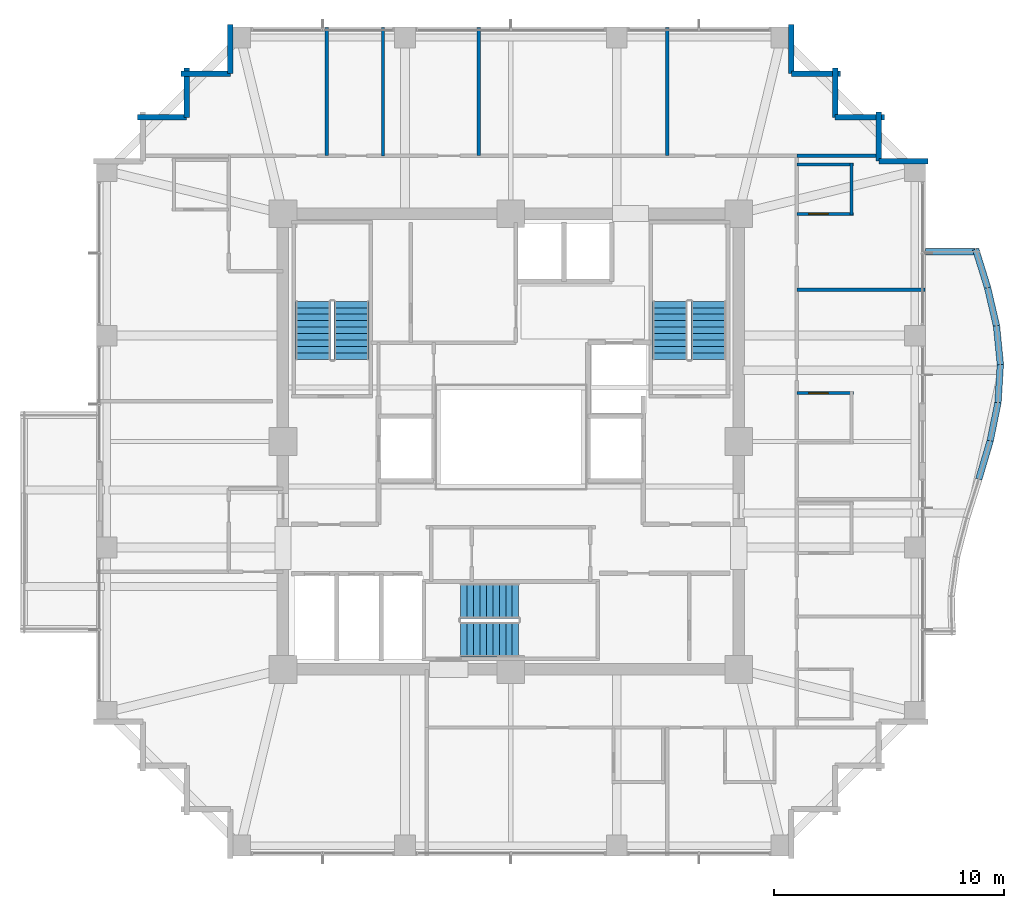
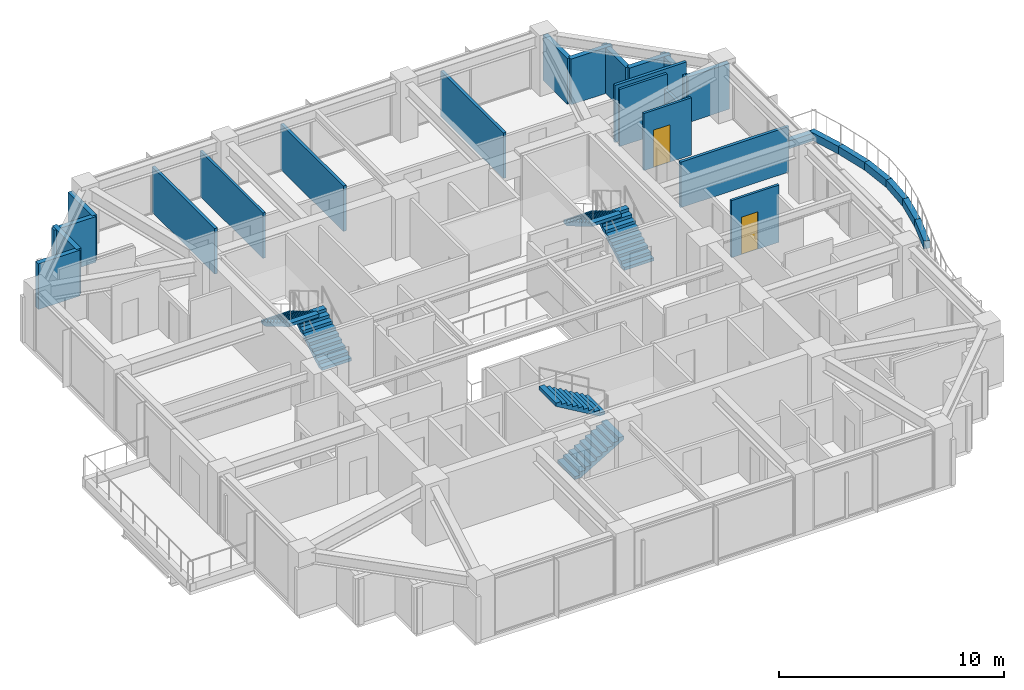
# One storey, part 30 of 32: 27 walls, 6 stair flights, 2 doors, 2 openings, 3 elements without a shape of their own.
"""IFC4 building model written with IfcOpenShell, lengths in metres."""

import ifcopenshell
import ifcopenshell.guid

model = None  # the IFC model being written
_history = None  # IfcOwnerHistory: only IFC2X3 demands one
_inside = {}  # id of a spatial element -> (the spatial element, [elements in it])
_under = {}  # id of a project, library or spatial element -> (it, [spatial elements below it])
_declared = {}  # id of a project -> (the project, [libraries it declares])
_typed = {}  # id of a type object -> (the type object, [elements of that type])
_made_of = {}  # id of a material, layer set ... -> (it, [elements and type objects made of it])


def new_model(schema):
    """Start an empty IFC model of exactly this schema.

    Asked for "IFC4X3", IfcOpenShell would pick the latest addendum, in which some entities
    have other attributes; the version numbers below select the first issue.
    IFC2X3 requires an IfcOwnerHistory on every rooted entity: one is made here for all.
    """
    global model, _history
    if schema == "IFC4X3":
        model = ifcopenshell.file(schema_version=(4, 3, 0, 0))
    else:
        model = ifcopenshell.file(schema=schema)
    _inside.clear()
    _under.clear()
    _declared.clear()
    _typed.clear()
    _made_of.clear()
    _history = None
    if model.schema == "IFC2X3":
        org = make("IfcOrganization", Name="unknown")
        user = make(
            "IfcPersonAndOrganization",
            ThePerson=make("IfcPerson", FamilyName="unknown"),
            TheOrganization=org,
        )
        app = make(
            "IfcApplication",
            ApplicationDeveloper=org,
            Version="unknown",
            ApplicationFullName="unknown",
            ApplicationIdentifier="unknown",
        )
        _history = make(
            "IfcOwnerHistory",
            OwningUser=user,
            OwningApplication=app,
            ChangeAction="ADDED",
            CreationDate=0,
        )
    return model


def make(cls, **values):
    """One entity of the class cls with the attributes given. An attribute that is None is left unset."""
    return model.create_entity(
        cls, **{name: value for name, value in values.items() if value is not None}
    )


def rooted(cls, **values):
    """An entity with a GlobalId (a new one), such as an element, a storey or a relation."""
    return make(cls, GlobalId=ifcopenshell.guid.new(), OwnerHistory=_history, **values)


def si_unit(unit_type, name, prefix=None):
    """IfcSIUnit, for example si_unit("LENGTHUNIT", "METRE", prefix="MILLI")."""
    return make("IfcSIUnit", UnitType=unit_type, Prefix=prefix, Name=name)


def assignment(units):
    """IfcUnitAssignment: the units of a project."""
    return None if units is None else make("IfcUnitAssignment", Units=units)


def point(xyz):
    """IfcCartesianPoint."""
    return None if xyz is None else make("IfcCartesianPoint", Coordinates=xyz)


def direction(xyz):
    """IfcDirection."""
    return None if xyz is None else make("IfcDirection", DirectionRatios=xyz)


def frame(location, z_axis=None, x_axis=None):
    """IfcAxis2Placement3D, a coordinate frame: its origin and axes. An axis left out is left unset."""
    return make(
        "IfcAxis2Placement3D",
        Location=point(location),
        Axis=direction(z_axis),
        RefDirection=direction(x_axis),
    )


def frame_2d(location, x_axis=None):
    """IfcAxis2Placement2D, a coordinate frame in the plane: its origin and x axis."""
    return make(
        "IfcAxis2Placement2D", Location=point(location), RefDirection=direction(x_axis)
    )


def origin():
    """The frame at (0, 0, 0) with its axes left unset."""
    return frame((0.0, 0.0, 0.0))


def place(relative_to, where):
    """IfcLocalPlacement: puts the frame where relative to a parent placement (None: the world)."""
    return make(
        "IfcLocalPlacement", PlacementRelTo=relative_to, RelativePlacement=where
    )


def context(
    kind, dimensions, precision=None, world=None, true_north=None, identifier=None
):
    """IfcGeometricRepresentationContext, for example the 3D "Model" context."""
    return make(
        "IfcGeometricRepresentationContext",
        ContextIdentifier=identifier,
        ContextType=kind,
        CoordinateSpaceDimension=dimensions,
        Precision=precision,
        WorldCoordinateSystem=world,
        TrueNorth=true_north,
    )


def subcontext(parent, identifier, kind, view, scale=None):
    """IfcGeometricRepresentationSubContext, for example "Body" below "Model"."""
    return make(
        "IfcGeometricRepresentationSubContext",
        ContextIdentifier=identifier,
        ContextType=kind,
        ParentContext=parent,
        TargetScale=scale,
        TargetView=view,
    )


def project(units=None, contexts=None):
    """IfcProject with its units and contexts."""
    return rooted(
        "IfcProject",
        Name="project",
        RepresentationContexts=contexts,
        UnitsInContext=assignment(units),
    )


def spatial(cls, under=None, at=None, **own):
    """A site, building, storey or space (cls), placed at a placement, below another one or the project."""
    s = rooted(cls, ObjectPlacement=at, **own)
    if under is not None:
        _under.setdefault(under.id(), (under, []))[1].append(s)
    return s


def polyline(points):
    """IfcPolyline through the points."""
    return make("IfcPolyline", Points=[point(p) for p in points])


def profile(cls, at=None, kind="AREA", **sizes):
    """A parametric profile (cls). Its sizes go by their IFC names, for example OverallWidth=200.0."""
    return make(cls, ProfileType=kind, Position=at, **sizes)


def rectangle(**sizes):
    """IfcRectangleProfileDef."""
    return profile("IfcRectangleProfileDef", **sizes)


def outline(outer, holes=None, kind="AREA"):
    """IfcArbitraryClosedProfileDef: a profile drawn as a closed curve; with holes, ...WithVoids."""
    if holes is None:
        return make("IfcArbitraryClosedProfileDef", ProfileType=kind, OuterCurve=outer)
    return make(
        "IfcArbitraryProfileDefWithVoids",
        ProfileType=kind,
        OuterCurve=outer,
        InnerCurves=holes,
    )


def extrude(swept, where, along, depth):
    """IfcExtrudedAreaSolid: the profile swept, set in the frame where, extruded along a direction by depth."""
    return make(
        "IfcExtrudedAreaSolid",
        SweptArea=swept,
        Position=where,
        ExtrudedDirection=direction(along),
        Depth=depth,
    )


def shape(context_of_items, identifier, shape_type, items):
    """IfcShapeRepresentation: the items that make up one representation, for example the "Body"."""
    return make(
        "IfcShapeRepresentation",
        ContextOfItems=context_of_items,
        RepresentationIdentifier=identifier,
        RepresentationType=shape_type,
        Items=items,
    )


def material(Name=None, Category=None):
    """IfcMaterial."""
    return make("IfcMaterial", Name=Name, Category=Category)


def layer(
    of_material, thickness, ventilated=None, Name=None, Category=None, Priority=None
):
    """IfcMaterialLayer: one layer of a wall or slab, of a material (None: an air gap)."""
    return make(
        "IfcMaterialLayer",
        Material=of_material,
        LayerThickness=thickness,
        IsVentilated=ventilated,
        Name=Name,
        Category=Category,
        Priority=Priority,
    )


def layer_set(layers, Name=None):
    """IfcMaterialLayerSet."""
    return make("IfcMaterialLayerSet", MaterialLayers=layers, LayerSetName=Name)


def made_of(thing, what):
    """Note that an element or type object is made of a material, layer set ...; save() writes the relation."""
    if what is not None:
        _made_of.setdefault(what.id(), (what, []))[1].append(thing)
    return thing


def type_object(cls, material=None, **own):
    """A type object (cls), such as IfcWallType, which elements share."""
    return made_of(rooted(cls, **own), material)


def element(
    cls,
    number,
    at=None,
    inside=None,
    cuts=None,
    type_object=None,
    material=None,
    context=None,
    identifier="Body",
    shape_type=None,
    held_by="IfcProductDefinitionShape",
    body=None,
    shapes=None,
    **own,
):
    """One element of the class cls, such as IfcWall. Its Tag is "e" and its number.

    at: its placement. inside: the storey or other place that contains it. cuts: it is an
    opening in that element (IfcRelVoidsElement). A single representation is given by context,
    identifier, shape_type and body (its items); several are given by shapes. held_by: the class
    of the entity that holds the representations. save() writes the other relations.
    """
    e = rooted(cls, Tag="e%d" % number, ObjectPlacement=at, **own)
    if body is not None:
        shapes = [shape(context, identifier, shape_type, body)]
    if shapes is not None:
        e.Representation = make(held_by, Representations=shapes)
    if inside is not None:
        _inside.setdefault(inside.id(), (inside, []))[1].append(e)
    if cuts is not None:
        rooted(
            "IfcRelVoidsElement", RelatingBuildingElement=cuts, RelatedOpeningElement=e
        )
    if type_object is not None:
        _typed.setdefault(type_object.id(), (type_object, []))[1].append(e)
    return made_of(e, material)


def fill(opening, filler):
    """IfcRelFillsElement: the door or window that sits in an opening."""
    return rooted(
        "IfcRelFillsElement",
        RelatingOpeningElement=opening,
        RelatedBuildingElement=filler,
    )


def aggregate(whole, parts):
    """IfcRelAggregates: a whole, such as a stair, and the parts it consists of."""
    return rooted("IfcRelAggregates", RelatingObject=whole, RelatedObjects=parts)


def save(model, path):
    """Write the relations noted so far, then the file.

    IfcRelAggregates (storeys below a building ...), IfcRelContainedInSpatialStructure (elements
    in a storey), IfcRelDefinesByType, IfcRelAssociatesMaterial and IfcRelDeclares: one each for
    every whole, place, type object, material and project.
    """
    for whole, parts in _under.values():
        aggregate(whole, parts)
    for where, things in _inside.values():
        rooted(
            "IfcRelContainedInSpatialStructure",
            RelatedElements=things,
            RelatingStructure=where,
        )
    for kind, things in _typed.values():
        rooted("IfcRelDefinesByType", RelatedObjects=things, RelatingType=kind)
    for what, things in _made_of.values():
        rooted("IfcRelAssociatesMaterial", RelatedObjects=things, RelatingMaterial=what)
    for by, libraries in _declared.values():
        rooted("IfcRelDeclares", RelatingContext=by, RelatedDefinitions=libraries)
    model.write(path)


model = new_model("IFC4")

# Units and contexts
model_context = context("Model", 3, precision=1e-05, world=origin(), true_north=direction((0.0, 1.0)))
body_context = subcontext(model_context, "Body", "Model", "MODEL_VIEW")
ifc_project = project(units=[si_unit("LENGTHUNIT", "METRE"), si_unit("AREAUNIT", "SQUARE_METRE"), si_unit("VOLUMEUNIT", "CUBIC_METRE"), si_unit("PLANEANGLEUNIT", "RADIAN"), si_unit("MASSUNIT", "GRAM", prefix="KILO")], contexts=[model_context])

# Site, building, storey
site_placement = place(None, origin())
site = spatial("IfcSite", under=ifc_project, at=site_placement, CompositionType="ELEMENT")
building_placement = place(site_placement, origin())
building = spatial("IfcBuilding", under=site, at=building_placement, Name="Kolvaren Belvedere", CompositionType="ELEMENT")
storey_placement = place(building_placement, frame((0.0, 0.0, 141.5)))
storey = spatial("IfcBuildingStorey", under=building, at=storey_placement, Name="L41", CompositionType="ELEMENT", Elevation=141.5)

# Walls
ifc_material_1 = material(Name="Insulated pale-metal facade wall assembly", Category="aluminium")
ifc_layer_1 = layer(ifc_material_1, 0.239990234375)
ifc_layer_set_1 = layer_set([ifc_layer_1], Name="Insulated pale-metal facade wall assembly")
wall_type_1 = type_object("IfcWallType", Name="WL-EXT-240", PredefinedType="STANDARD", material=ifc_layer_set_1)
for number, where, z_axis, x_axis, name in (
    (1, (15.97998046875, 12.179931640625, 0.0), (0.0, 0.0, 1.0), (1.0, 0.0, 0.0), "L41 Serrated Corner Facade Wall 9"),
    (2, (15.97998046875, 14.320068359375, 0.0), (0.0, 0.0, 1.0), (0.0, -1.0, 0.0), "L41 Serrated Corner Facade Wall 10"),
):
    element("IfcWall", number, at=place(storey_placement, frame(where, z_axis=z_axis, x_axis=x_axis)), inside=storey, type_object=wall_type_1, Name=name, PredefinedType="STANDARD", context=body_context, shape_type="SweptSolid", body=[
        extrude(rectangle(XDim=2.14013671875, YDim=0.239990234375, at=frame_2d((1.070068359375, 0.0))), origin(), (0.0, 0.0, 1.0), 2.47900390625),
    ])
for number, where, z_axis, x_axis, name in (
    (3, (14.080078125, 14.080078125, 0.0), (0.0, 0.0, 1.0), (1.0, 0.0, 0.0), "L41 Serrated Corner Facade Wall 11"),
    (4, (14.080078125, 16.219970703125, 0.0), (0.0, 0.0, 1.0), (0.0, -1.0, 0.0), "L41 Serrated Corner Facade Wall 12"),
):
    element("IfcWall", number, at=place(storey_placement, frame(where, z_axis=z_axis, x_axis=x_axis)), inside=storey, type_object=wall_type_1, Name=name, PredefinedType="STANDARD", context=body_context, shape_type="SweptSolid", body=[
        extrude(rectangle(XDim=2.139892578125, YDim=0.239990234375, at=frame_2d((1.06982421875, 0.0))), origin(), (0.0, 0.0, 1.0), 2.47900390625),
    ])
for number, where, z_axis, x_axis, name in (
    (5, (12.179931640625, 15.97998046875, 0.0), (0.0, 0.0, 1.0), (1.0, 0.0, 0.0), "L41 Serrated Corner Facade Wall 13"),
    (6, (12.179931640625, 18.1201171875, 0.0), (0.0, 0.0, 1.0), (0.0, -1.0, 0.0), "L41 Serrated Corner Facade Wall 14"),
    (7, (-12.179931640625, 15.97998046875, 0.0), (0.0, 0.0, 1.0), (0.0, 1.0, 0.0), "L41 Serrated Corner Facade Wall 16"),
    (8, (-14.320068359375, 15.97998046875, 0.0), (0.0, 0.0, 1.0), (1.0, 0.0, 0.0), "L41 Serrated Corner Facade Wall 17"),
):
    element("IfcWall", number, at=place(storey_placement, frame(where, z_axis=z_axis, x_axis=x_axis)), inside=storey, type_object=wall_type_1, Name=name, PredefinedType="STANDARD", context=body_context, shape_type="SweptSolid", body=[
        extrude(rectangle(XDim=2.14013671875, YDim=0.239990234375, at=frame_2d((1.070068359375, 0.0))), origin(), (0.0, 0.0, 1.0), 2.47900390625),
    ])
for number, where, z_axis, x_axis, name in (
    (9, (-14.080078125, 14.080078125, 0.0), (0.0, 0.0, 1.0), (0.0, 1.0, 0.0), "L41 Serrated Corner Facade Wall 18"),
    (10, (-16.219970703125, 14.080078125, 0.0), (0.0, 0.0, 1.0), (1.0, 0.0, 0.0), "L41 Serrated Corner Facade Wall 19"),
):
    element("IfcWall", number, at=place(storey_placement, frame(where, z_axis=z_axis, x_axis=x_axis)), inside=storey, type_object=wall_type_1, Name=name, PredefinedType="STANDARD", context=body_context, shape_type="SweptSolid", body=[
        extrude(rectangle(XDim=2.139892578125, YDim=0.239990234375, at=frame_2d((1.06982421875, 0.0))), origin(), (0.0, 0.0, 1.0), 2.47900390625),
    ])
ifc_material_2 = material(Name="Gypsum acoustic partition assembly", Category="gypsum")
ifc_layer_2 = layer(ifc_material_2, 0.14990234375)
ifc_layer_set_2 = layer_set([ifc_layer_2], Name="Gypsum acoustic partition assembly")
wall_type_2 = type_object("IfcWallType", Name="WL-PART-150", PredefinedType="PARTITIONING", material=ifc_layer_set_2)
wall_1_placement = place(storey_placement, frame((12.419921875, 12.419921875, 0.0), z_axis=(0.0, 0.0, 1.0), x_axis=(1.0, 0.0, 0.0)))
element("IfcWall", 11, at=wall_1_placement, inside=storey, type_object=wall_type_2, Name="L41 Wing Divider PW-L41-QNE", PredefinedType="PARTITIONING", context=body_context, shape_type="SweptSolid", body=[
    extrude(rectangle(XDim=3.66015625, YDim=0.14990234375, at=frame_2d((1.830078125, 0.0))), origin(), (0.0, 0.0, 1.0), 3.10009765625),
])
for number, where, z_axis, x_axis, name in (
    (12, (-8.0, 12.419921875, 0.0), (0.0, 0.0, 1.0), (0.0, 1.0, 0.0), "L41 North Suite Demising Wall 1"),
    (13, (-1.39990234375, 12.419921875, 0.0), (0.0, 0.0, 1.0), (0.0, 1.0, 0.0), "L41 North Suite Demising Wall 2"),
    (14, (6.800048828125, 12.419921875, 0.0), (0.0, 0.0, 1.0), (0.0, 1.0, 0.0), "L41 North Suite Demising Wall 3"),
    (15, (12.419921875, 6.60009765625, 0.0), (0.0, 0.0, 1.0), (1.0, 0.0, 0.0), "L41 East Suite Demising Wall 3"),
):
    element("IfcWall", number, at=place(storey_placement, frame(where, z_axis=z_axis, x_axis=x_axis)), inside=storey, type_object=wall_type_2, Name=name, PredefinedType="PARTITIONING", context=body_context, shape_type="SweptSolid", body=[
        extrude(rectangle(XDim=5.56005859375, YDim=0.14990234375, at=frame_2d((2.780029296875, 0.0))), origin(), (0.0, 0.0, 1.0), 2.468994140625),
    ])
ifc_material_3 = material(Name="Precast concrete C40/50", Category="concrete")
ifc_layer_3 = layer(ifc_material_3, 0.300048828125)
ifc_layer_set_3 = layer_set([ifc_layer_3], Name="Precast concrete C40/50")
wall_type_3 = type_object("IfcWallType", Name="WL-PLANTER-300", PredefinedType="PARAPET", material=ifc_layer_set_3)
wall_2_placement = place(storey_placement, frame((20.322021484375, -1.634521484375, -0.02001953125), z_axis=(0.0, 0.0, 1.0), x_axis=(0.284842289601, 0.958574394638, 0.0)))
element("IfcWall", 16, at=wall_2_placement, inside=storey, type_object=wall_type_3, Name="L41 Precast Structural Planter Wall BAL-E-5", PredefinedType="PARAPET", context=body_context, shape_type="SweptSolid", body=[
    extrude(rectangle(XDim=1.752685546875, YDim=0.280029296875, at=frame_2d((0.87646484375, 0.0))), origin(), (0.0, 0.0, 1.0), 0.419921875),
])
wall_3_placement = place(storey_placement, frame((20.818115234375, 0.031982421875, -0.02001953125), z_axis=(0.0, 0.0, 1.0), x_axis=(0.199647526069, 0.979867779516, 0.0)))
element("IfcWall", 17, at=wall_3_placement, inside=storey, type_object=wall_type_3, Name="L41 Precast Structural Planter Wall BAL-E-6", PredefinedType="PARAPET", context=body_context, shape_type="SweptSolid", body=[
    extrude(rectangle(XDim=1.71435546875, YDim=0.280029296875, at=frame_2d((0.857177734375, 0.0))), origin(), (0.0, 0.0, 1.0), 0.419921875),
])
wall_4_placement = place(storey_placement, frame((21.157470703125, 1.689697265625, -0.02001953125), z_axis=(0.0, 0.0, 1.0), x_axis=(0.061059932685, 0.998134101522, 0.0)))
element("IfcWall", 18, at=wall_4_placement, inside=storey, type_object=wall_type_3, Name="L41 Precast Structural Planter Wall BAL-E-7", PredefinedType="PARAPET", context=body_context, shape_type="SweptSolid", body=[
    extrude(rectangle(XDim=1.683349609375, YDim=0.280029296875, at=frame_2d((0.841796875, 0.0))), origin(), (0.0, 0.0, 1.0), 0.419921875),
])
wall_5_placement = place(storey_placement, frame((21.2607421875, 3.343994140625, -0.02001953125), z_axis=(0.0, 0.0, 1.0), x_axis=(-0.099475088112, 0.995040052885, 0.0)))
element("IfcWall", 19, at=wall_5_placement, inside=storey, type_object=wall_type_3, Name="L41 Precast Structural Planter Wall BAL-E-8", PredefinedType="PARAPET", context=body_context, shape_type="SweptSolid", body=[
    extrude(rectangle(XDim=1.6884765625, YDim=0.280029296875, at=frame_2d((0.84423828125, 0.0))), origin(), (0.0, 0.0, 1.0), 0.419921875),
])
wall_6_placement = place(storey_placement, frame((21.09619140625, 5.003662109375, -0.02001953125), z_axis=(0.0, 0.0, 1.0), x_axis=(-0.227019323824, 0.973890253884, 0.0)))
element("IfcWall", 20, at=wall_6_placement, inside=storey, type_object=wall_type_3, Name="L41 Precast Structural Planter Wall BAL-E-9", PredefinedType="PARAPET", context=body_context, shape_type="SweptSolid", body=[
    extrude(rectangle(XDim=1.724853515625, YDim=0.280029296875, at=frame_2d((0.8623046875, 0.0))), origin(), (0.0, 0.0, 1.0), 0.419921875),
])
wall_7_placement = place(storey_placement, frame((20.70751953125, 6.672607421875, -0.02001953125), z_axis=(0.0, 0.0, 1.0), x_axis=(-0.29579229954, 0.955252278476, 0.0)))
element("IfcWall", 21, at=wall_7_placement, inside=storey, type_object=wall_type_3, Name="L41 Precast Structural Planter Wall BAL-E-10", PredefinedType="PARAPET", context=body_context, shape_type="SweptSolid", body=[
    extrude(rectangle(XDim=1.7587890625, YDim=0.280029296875, at=frame_2d((0.87939453125, 0.0))), origin(), (0.0, 0.0, 1.0), 0.419921875),
])
wall_8_placement = place(storey_placement, frame((20.340087890625, 8.239990234375, -0.02001953125), z_axis=(0.0, 0.0, 1.0), x_axis=(-1.0, 0.0, 0.0)))
element("IfcWall", 22, at=wall_8_placement, inside=storey, type_object=wall_type_3, Name="L41 Precast Structural Planter Wall BAL-E-11", PredefinedType="PARAPET", context=body_context, shape_type="SweptSolid", body=[
    extrude(rectangle(XDim=2.340087890625, YDim=0.280029296875, at=frame_2d((1.169921875, 0.0))), origin(), (0.0, 0.0, 1.0), 0.419921875),
])
ifc_material_4 = material(Name="Moisture-resistant gypsum partition", Category="gypsum")
ifc_layer_4 = layer(ifc_material_4, 0.125)
ifc_layer_set_4 = layer_set([ifc_layer_4], Name="Moisture-resistant gypsum partition")
wall_type_4 = type_object("IfcWallType", Name="WL-WET-125", PredefinedType="PARTITIONING", material=ifc_layer_set_4)
wall_9_placement = place(storey_placement, frame((-5.550048828125, 12.39501953125, 0.0), z_axis=(0.0, 0.0, 1.0), x_axis=(0.0, 1.0, 0.0)))
element("IfcWall", 23, at=wall_9_placement, inside=storey, type_object=wall_type_4, Name="L41 Housekeeping Washroom Divider", PredefinedType="PARTITIONING", context=body_context, shape_type="SweptSolid", body=[
    extrude(rectangle(XDim=5.5849609375, YDim=0.125, at=frame_2d((2.79248046875, 0.0))), origin(), (0.0, 0.0, 1.0), 2.468994140625),
])

# Wall, opening, door
wall_10_placement = place(storey_placement, frame((12.43505859375, 2.10498046875, 0.0), z_axis=(0.0, 0.0, 1.0), x_axis=(1.0, 0.0, 0.0)))
wall_10 = element("IfcWall", 24, at=wall_10_placement, inside=storey, type_object=wall_type_4, Name="L41 Bathroom Partition PW-L41-BTH-6-N", PredefinedType="PARTITIONING", context=body_context, shape_type="SweptSolid", body=[
    extrude(rectangle(XDim=2.43994140625, YDim=0.125, at=frame_2d((1.219970703125, 0.0))), origin(), (0.0, 0.0, 1.0), 3.10009765625),
])
opening_1_placement = place(wall_10_placement, frame((0.5, 0.0, 0.0)))
opening_1 = element("IfcOpeningElement", 25, at=opening_1_placement, cuts=wall_10, Name="Opening D-BTH85", PredefinedType="OPENING", context=body_context, shape_type="SweptSolid", body=[
    extrude(rectangle(XDim=0.85009765625, YDim=2.030029296875, at=frame_2d((0.425048828125, 1.01513671875))), frame((0.0, 0.072509765625, 0.0), z_axis=(0.0, -1.0, 0.0), x_axis=(1.0, 0.0, 0.0)), (0.0, 0.0, 1.0), 0.14501953125),
])
ifc_material_5 = material(Name="Moisture-sealed Pacific white oak", Category="timber")
door_type = type_object("IfcDoorType", Name="DR-BATH-850", OperationType="NOTDEFINED", PredefinedType="DOOR", material=ifc_material_5)
door_1_placement = place(opening_1_placement, origin())
door_1 = element("IfcDoor", 26, at=door_1_placement, inside=storey, type_object=door_type, Name="L41 En-Suite Bathroom 4106 Door", OperationType="SINGLE_SWING_RIGHT", OverallHeight=2.030029296875, OverallWidth=0.85009765625, PredefinedType="DOOR", context=body_context, shape_type="SweptSolid", body=[
    extrude(rectangle(XDim=0.85009765625, YDim=2.030029296875, at=frame_2d((0.425048828125, 1.01513671875))), frame((0.0, 0.02490234375, 0.0), z_axis=(0.0, -1.0, 0.0), x_axis=(1.0, 0.0, 0.0)), (0.0, 0.0, 1.0), 0.050048828125),
])
fill(opening_1, door_1)

wall_11_placement = place(storey_placement, frame((12.43505859375, 9.89111328125, 0.0), z_axis=(0.0, 0.0, 1.0), x_axis=(1.0, 0.0, 0.0)))
wall_11 = element("IfcWall", 27, at=wall_11_placement, inside=storey, type_object=wall_type_4, Name="L41 Bathroom Partition PW-L41-BTH-7-N", PredefinedType="PARTITIONING", context=body_context, shape_type="SweptSolid", body=[
    extrude(rectangle(XDim=2.43994140625, YDim=0.125, at=frame_2d((1.219970703125, 0.0))), origin(), (0.0, 0.0, 1.0), 3.10009765625),
])
opening_2_placement = place(wall_11_placement, frame((0.5, 0.0, 0.0)))
opening_2 = element("IfcOpeningElement", 28, at=opening_2_placement, cuts=wall_11, Name="Opening D-BTH85", PredefinedType="OPENING", context=body_context, shape_type="SweptSolid", body=[
    extrude(rectangle(XDim=0.85009765625, YDim=2.030029296875, at=frame_2d((0.425048828125, 1.01513671875))), frame((0.0, 0.072509765625, 0.0), z_axis=(0.0, -1.0, 0.0), x_axis=(1.0, 0.0, 0.0)), (0.0, 0.0, 1.0), 0.14501953125),
])
door_2_placement = place(opening_2_placement, origin())
door_2 = element("IfcDoor", 29, at=door_2_placement, inside=storey, type_object=door_type, Name="L41 En-Suite Bathroom 4107 Door", OperationType="SINGLE_SWING_RIGHT", OverallHeight=2.030029296875, OverallWidth=0.85009765625, PredefinedType="DOOR", context=body_context, shape_type="SweptSolid", body=[
    extrude(rectangle(XDim=0.85009765625, YDim=2.030029296875, at=frame_2d((0.425048828125, 1.01513671875))), frame((0.0, 0.02490234375, 0.0), z_axis=(0.0, -1.0, 0.0), x_axis=(1.0, 0.0, 0.0)), (0.0, 0.0, 1.0), 0.050048828125),
])
fill(opening_2, door_2)

# Walls
wall_12_placement = place(storey_placement, frame((14.794921875, 9.8310546875, 0.0), z_axis=(0.0, 0.0, 1.0), x_axis=(0.0, 1.0, 0.0)))
element("IfcWall", 30, at=wall_12_placement, inside=storey, type_object=wall_type_4, Name="L41 Bathroom Partition PW-L41-BTH-7-V", PredefinedType="PARTITIONING", context=body_context, shape_type="SweptSolid", body=[
    extrude(rectangle(XDim=2.27001953125, YDim=0.125, at=frame_2d((1.135009765625, 0.0))), origin(), (0.0, 0.0, 1.0), 2.31201171875),
])
wall_13_placement = place(storey_placement, frame((12.43505859375, 12.041015625, 0.0), z_axis=(0.0, 0.0, 1.0), x_axis=(1.0, 0.0, 0.0)))
element("IfcWall", 31, at=wall_13_placement, inside=storey, type_object=wall_type_4, Name="L41 Bathroom Partition PW-L41-BTH-7-S", PredefinedType="PARTITIONING", context=body_context, shape_type="SweptSolid", body=[
    extrude(rectangle(XDim=2.43994140625, YDim=0.125, at=frame_2d((1.219970703125, 0.0))), origin(), (0.0, 0.0, 1.0), 3.10009765625),
])

# Stair, stair flights
ifc_material_6 = material(Name="Concrete C50/60", Category="concrete")
stair_type = type_object("IfcStairType", Name="ST-CORE-1520", PredefinedType="HALF_TURN_STAIR", material=ifc_material_6)
stair_1_placement = place(storey_placement, origin())
stair_1 = element("IfcStair", 32, at=stair_1_placement, inside=storey, type_object=stair_type, Name="L41 Protected Exit Stair ST-1", PredefinedType="HALF_TURN_STAIR")
ifc_material_7 = material(Name="Concrete C50/60", Category="concrete")
stair_flight_type = type_object("IfcStairFlightType", Name="SF-STR-1520", PredefinedType="STRAIGHT", material=ifc_material_7)
stair_flight_1_placement = place(storey_placement, frame((-6.919921875, 3.570068359375, 0.0), z_axis=(0.0, 0.0, 1.0), x_axis=(0.0, 1.0, 0.0)))
stair_flight_1 = element("IfcStairFlight", 33, at=stair_flight_1_placement, type_object=stair_flight_type, Name="ST-1 flight 1", NumberOfRisers=10, NumberOfTreads=9, PredefinedType="STRAIGHT", RiserHeight=0.165, TreadLength=0.28, context=body_context, shape_type="SweptSolid", body=[
    extrude(outline(polyline([(0.0, 0.0), (0.0, 0.1650390625), (0.280029296875, 0.1650390625), (0.280029296875, 0.330078125), (0.56005859375, 0.330078125), (0.56005859375, 0.4951171875), (0.840087890625, 0.4951171875), (0.840087890625, 0.659912109375), (1.1201171875, 0.659912109375), (1.1201171875, 0.824951171875), (1.39990234375, 0.824951171875), (1.39990234375, 0.989990234375), (1.679931640625, 0.989990234375), (1.679931640625, 1.155029296875), (1.9599609375, 1.155029296875), (1.9599609375, 1.320068359375), (2.239990234375, 1.320068359375), (2.239990234375, 1.485107421875), (2.52001953125, 1.485107421875), (2.52001953125, 1.64990234375), (2.52001953125, 1.31103515625), (0.295166015625, 0.0), (0.0, 0.0)])), frame((0.0, 0.760009765625, 0.0), z_axis=(0.0, -1.0, 0.0), x_axis=(1.0, 0.0, 0.0)), (0.0, 0.0, 1.0), 1.52001953125),
])
stair_flight_2_placement = place(storey_placement, frame((-8.590087890625, 6.090087890625, 1.64990234375), z_axis=(0.0, 0.0, 1.0), x_axis=(0.0, -1.0, 0.0)))
stair_flight_2 = element("IfcStairFlight", 34, at=stair_flight_2_placement, type_object=stair_flight_type, Name="ST-1 flight 2", NumberOfRisers=10, NumberOfTreads=9, PredefinedType="STRAIGHT", RiserHeight=0.165, TreadLength=0.28, context=body_context, shape_type="SweptSolid", body=[
    extrude(outline(polyline([(0.0, 0.0), (0.0, 0.1650390625), (0.280029296875, 0.1650390625), (0.280029296875, 0.330078125), (0.56005859375, 0.330078125), (0.56005859375, 0.4951171875), (0.840087890625, 0.4951171875), (0.840087890625, 0.659912109375), (1.1201171875, 0.659912109375), (1.1201171875, 0.824951171875), (1.39990234375, 0.824951171875), (1.39990234375, 0.989990234375), (1.679931640625, 0.989990234375), (1.679931640625, 1.155029296875), (1.9599609375, 1.155029296875), (1.9599609375, 1.320068359375), (2.239990234375, 1.320068359375), (2.239990234375, 1.485107421875), (2.52001953125, 1.485107421875), (2.52001953125, 1.64990234375), (2.52001953125, 1.31103515625), (0.295166015625, 0.0), (0.0, 0.0)])), frame((0.0, 0.760009765625, 0.0), z_axis=(0.0, -1.0, 0.0), x_axis=(1.0, 0.0, 0.0)), (0.0, 0.0, 1.0), 1.52001953125),
])
aggregate(stair_1, [stair_flight_1, stair_flight_2])

stair_2_placement = place(storey_placement, origin())
stair_2 = element("IfcStair", 35, at=stair_2_placement, inside=storey, type_object=stair_type, Name="L41 Protected Exit Stair ST-2", PredefinedType="HALF_TURN_STAIR")
stair_flight_3_placement = place(storey_placement, frame((8.590087890625, 3.570068359375, 0.0), z_axis=(0.0, 0.0, 1.0), x_axis=(0.0, 1.0, 0.0)))
stair_flight_3 = element("IfcStairFlight", 36, at=stair_flight_3_placement, type_object=stair_flight_type, Name="ST-2 flight 1", NumberOfRisers=10, NumberOfTreads=9, PredefinedType="STRAIGHT", RiserHeight=0.165, TreadLength=0.28, context=body_context, shape_type="SweptSolid", body=[
    extrude(outline(polyline([(0.0, 0.0), (0.0, 0.1650390625), (0.280029296875, 0.1650390625), (0.280029296875, 0.330078125), (0.56005859375, 0.330078125), (0.56005859375, 0.4951171875), (0.840087890625, 0.4951171875), (0.840087890625, 0.659912109375), (1.1201171875, 0.659912109375), (1.1201171875, 0.824951171875), (1.39990234375, 0.824951171875), (1.39990234375, 0.989990234375), (1.679931640625, 0.989990234375), (1.679931640625, 1.155029296875), (1.9599609375, 1.155029296875), (1.9599609375, 1.320068359375), (2.239990234375, 1.320068359375), (2.239990234375, 1.485107421875), (2.52001953125, 1.485107421875), (2.52001953125, 1.64990234375), (2.52001953125, 1.31103515625), (0.295166015625, 0.0), (0.0, 0.0)])), frame((0.0, 0.760009765625, 0.0), z_axis=(0.0, -1.0, 0.0), x_axis=(1.0, 0.0, 0.0)), (0.0, 0.0, 1.0), 1.52001953125),
])
stair_flight_4_placement = place(storey_placement, frame((6.919921875, 6.090087890625, 1.64990234375), z_axis=(0.0, 0.0, 1.0), x_axis=(0.0, -1.0, 0.0)))
stair_flight_4 = element("IfcStairFlight", 37, at=stair_flight_4_placement, type_object=stair_flight_type, Name="ST-2 flight 2", NumberOfRisers=10, NumberOfTreads=9, PredefinedType="STRAIGHT", RiserHeight=0.165, TreadLength=0.28, context=body_context, shape_type="SweptSolid", body=[
    extrude(outline(polyline([(0.0, 0.0), (0.0, 0.1650390625), (0.280029296875, 0.1650390625), (0.280029296875, 0.330078125), (0.56005859375, 0.330078125), (0.56005859375, 0.4951171875), (0.840087890625, 0.4951171875), (0.840087890625, 0.659912109375), (1.1201171875, 0.659912109375), (1.1201171875, 0.824951171875), (1.39990234375, 0.824951171875), (1.39990234375, 0.989990234375), (1.679931640625, 0.989990234375), (1.679931640625, 1.155029296875), (1.9599609375, 1.155029296875), (1.9599609375, 1.320068359375), (2.239990234375, 1.320068359375), (2.239990234375, 1.485107421875), (2.52001953125, 1.485107421875), (2.52001953125, 1.64990234375), (2.52001953125, 1.31103515625), (0.295166015625, 0.0), (0.0, 0.0)])), frame((0.0, 0.760009765625, 0.0), z_axis=(0.0, -1.0, 0.0), x_axis=(1.0, 0.0, 0.0)), (0.0, 0.0, 1.0), 1.52001953125),
])
aggregate(stair_2, [stair_flight_3, stair_flight_4])

stair_3_placement = place(storey_placement, origin())
stair_3 = element("IfcStair", 38, at=stair_3_placement, inside=storey, type_object=stair_type, Name="L41 Protected Exit Stair ST-3", PredefinedType="HALF_TURN_STAIR")
stair_flight_5_placement = place(storey_placement, frame((-2.179931640625, -8.590087890625, 0.0), z_axis=(0.0, 0.0, 1.0), x_axis=(1.0, 0.0, 0.0)))
stair_flight_5 = element("IfcStairFlight", 39, at=stair_flight_5_placement, type_object=stair_flight_type, Name="ST-3 flight 1", NumberOfRisers=10, NumberOfTreads=9, PredefinedType="STRAIGHT", RiserHeight=0.165, TreadLength=0.28, context=body_context, shape_type="SweptSolid", body=[
    extrude(outline(polyline([(0.0, 0.0), (0.0, 0.1650390625), (0.280029296875, 0.1650390625), (0.280029296875, 0.330078125), (0.56005859375, 0.330078125), (0.56005859375, 0.4951171875), (0.840087890625, 0.4951171875), (0.840087890625, 0.659912109375), (1.1201171875, 0.659912109375), (1.1201171875, 0.824951171875), (1.39990234375, 0.824951171875), (1.39990234375, 0.989990234375), (1.679931640625, 0.989990234375), (1.679931640625, 1.155029296875), (1.9599609375, 1.155029296875), (1.9599609375, 1.320068359375), (2.239990234375, 1.320068359375), (2.239990234375, 1.485107421875), (2.52001953125, 1.485107421875), (2.52001953125, 1.64990234375), (2.52001953125, 1.31103515625), (0.295166015625, 0.0), (0.0, 0.0)])), frame((0.0, 0.760009765625, 0.0), z_axis=(0.0, -1.0, 0.0), x_axis=(1.0, 0.0, 0.0)), (0.0, 0.0, 1.0), 1.52001953125),
])
stair_flight_6_placement = place(storey_placement, frame((0.340087890625, -6.919921875, 1.64990234375), z_axis=(0.0, 0.0, 1.0), x_axis=(-1.0, 0.0, 0.0)))
stair_flight_6 = element("IfcStairFlight", 40, at=stair_flight_6_placement, type_object=stair_flight_type, Name="ST-3 flight 2", NumberOfRisers=10, NumberOfTreads=9, PredefinedType="STRAIGHT", RiserHeight=0.165, TreadLength=0.28, context=body_context, shape_type="SweptSolid", body=[
    extrude(outline(polyline([(0.0, 0.0), (0.0, 0.1650390625), (0.280029296875, 0.1650390625), (0.280029296875, 0.330078125), (0.56005859375, 0.330078125), (0.56005859375, 0.4951171875), (0.840087890625, 0.4951171875), (0.840087890625, 0.659912109375), (1.1201171875, 0.659912109375), (1.1201171875, 0.824951171875), (1.39990234375, 0.824951171875), (1.39990234375, 0.989990234375), (1.679931640625, 0.989990234375), (1.679931640625, 1.155029296875), (1.9599609375, 1.155029296875), (1.9599609375, 1.320068359375), (2.239990234375, 1.320068359375), (2.239990234375, 1.485107421875), (2.52001953125, 1.485107421875), (2.52001953125, 1.64990234375), (2.52001953125, 1.31103515625), (0.295166015625, 0.0), (0.0, 0.0)])), frame((0.0, 0.760009765625, 0.0), z_axis=(0.0, -1.0, 0.0), x_axis=(1.0, 0.0, 0.0)), (0.0, 0.0, 1.0), 1.52001953125),
])
aggregate(stair_3, [stair_flight_5, stair_flight_6])

save(model, "model.ifc")
